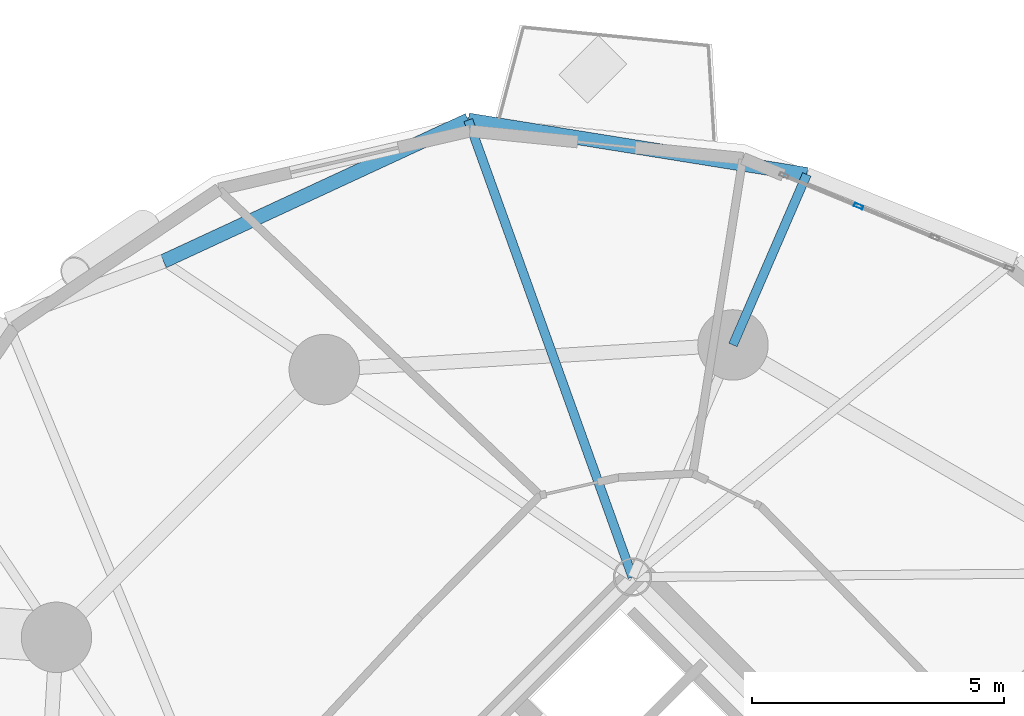
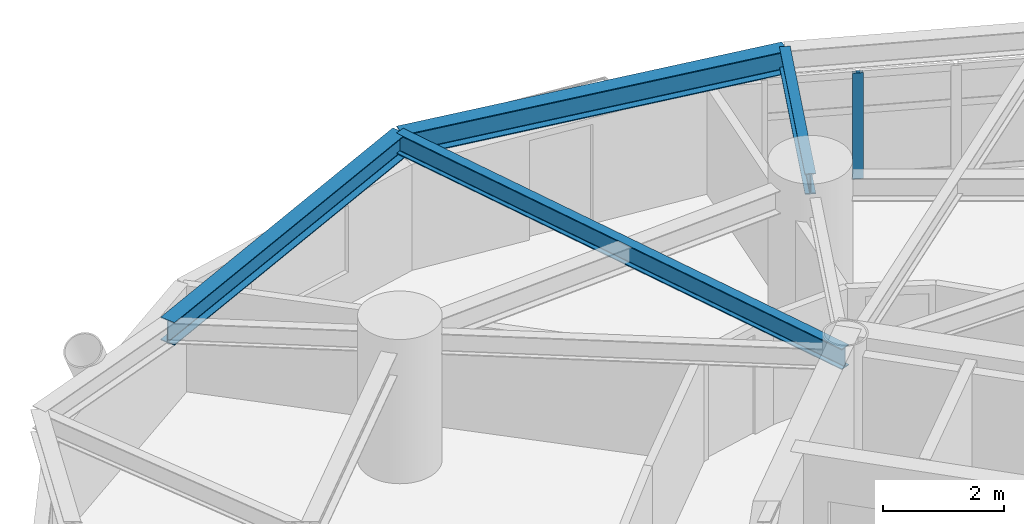
# One storey, part 6 of 18: 4 beams, 1 member, 1 element without a shape of its own.
"""IFC4 building model written with IfcOpenShell, lengths in metres."""

import ifcopenshell
import ifcopenshell.guid

model = None  # the IFC model being written
_history = None  # IfcOwnerHistory: only IFC2X3 demands one
_inside = {}  # id of a spatial element -> (the spatial element, [elements in it])
_under = {}  # id of a project, library or spatial element -> (it, [spatial elements below it])
_declared = {}  # id of a project -> (the project, [libraries it declares])
_typed = {}  # id of a type object -> (the type object, [elements of that type])
_made_of = {}  # id of a material, layer set ... -> (it, [elements and type objects made of it])


def new_model(schema):
    """Start an empty IFC model of exactly this schema.

    Asked for "IFC4X3", IfcOpenShell would pick the latest addendum, in which some entities
    have other attributes; the version numbers below select the first issue.
    IFC2X3 requires an IfcOwnerHistory on every rooted entity: one is made here for all.
    """
    global model, _history
    if schema == "IFC4X3":
        model = ifcopenshell.file(schema_version=(4, 3, 0, 0))
    else:
        model = ifcopenshell.file(schema=schema)
    _inside.clear()
    _under.clear()
    _declared.clear()
    _typed.clear()
    _made_of.clear()
    _history = None
    if model.schema == "IFC2X3":
        org = make("IfcOrganization", Name="unknown")
        user = make(
            "IfcPersonAndOrganization",
            ThePerson=make("IfcPerson", FamilyName="unknown"),
            TheOrganization=org,
        )
        app = make(
            "IfcApplication",
            ApplicationDeveloper=org,
            Version="unknown",
            ApplicationFullName="unknown",
            ApplicationIdentifier="unknown",
        )
        _history = make(
            "IfcOwnerHistory",
            OwningUser=user,
            OwningApplication=app,
            ChangeAction="ADDED",
            CreationDate=0,
        )
    return model


def make(cls, **values):
    """One entity of the class cls with the attributes given. An attribute that is None is left unset."""
    return model.create_entity(
        cls, **{name: value for name, value in values.items() if value is not None}
    )


def rooted(cls, **values):
    """An entity with a GlobalId (a new one), such as an element, a storey or a relation."""
    return make(cls, GlobalId=ifcopenshell.guid.new(), OwnerHistory=_history, **values)


def si_unit(unit_type, name, prefix=None):
    """IfcSIUnit, for example si_unit("LENGTHUNIT", "METRE", prefix="MILLI")."""
    return make("IfcSIUnit", UnitType=unit_type, Prefix=prefix, Name=name)


def assignment(units):
    """IfcUnitAssignment: the units of a project."""
    return None if units is None else make("IfcUnitAssignment", Units=units)


def point(xyz):
    """IfcCartesianPoint."""
    return None if xyz is None else make("IfcCartesianPoint", Coordinates=xyz)


def direction(xyz):
    """IfcDirection."""
    return None if xyz is None else make("IfcDirection", DirectionRatios=xyz)


def frame(location, z_axis=None, x_axis=None):
    """IfcAxis2Placement3D, a coordinate frame: its origin and axes. An axis left out is left unset."""
    return make(
        "IfcAxis2Placement3D",
        Location=point(location),
        Axis=direction(z_axis),
        RefDirection=direction(x_axis),
    )


def frame_2d(location, x_axis=None):
    """IfcAxis2Placement2D, a coordinate frame in the plane: its origin and x axis."""
    return make(
        "IfcAxis2Placement2D", Location=point(location), RefDirection=direction(x_axis)
    )


def origin():
    """The frame at (0, 0, 0) with its axes left unset."""
    return frame((0.0, 0.0, 0.0))


def origin_2d():
    """The frame at (0, 0) in the plane with its x axis left unset."""
    return frame_2d((0.0, 0.0))


def place(relative_to, where):
    """IfcLocalPlacement: puts the frame where relative to a parent placement (None: the world)."""
    return make(
        "IfcLocalPlacement", PlacementRelTo=relative_to, RelativePlacement=where
    )


def context(
    kind, dimensions, precision=None, world=None, true_north=None, identifier=None
):
    """IfcGeometricRepresentationContext, for example the 3D "Model" context."""
    return make(
        "IfcGeometricRepresentationContext",
        ContextIdentifier=identifier,
        ContextType=kind,
        CoordinateSpaceDimension=dimensions,
        Precision=precision,
        WorldCoordinateSystem=world,
        TrueNorth=true_north,
    )


def subcontext(parent, identifier, kind, view, scale=None):
    """IfcGeometricRepresentationSubContext, for example "Body" below "Model"."""
    return make(
        "IfcGeometricRepresentationSubContext",
        ContextIdentifier=identifier,
        ContextType=kind,
        ParentContext=parent,
        TargetScale=scale,
        TargetView=view,
    )


def project(units=None, contexts=None):
    """IfcProject with its units and contexts."""
    return rooted(
        "IfcProject",
        Name="project",
        RepresentationContexts=contexts,
        UnitsInContext=assignment(units),
    )


def spatial(cls, under=None, at=None, **own):
    """A site, building, storey or space (cls), placed at a placement, below another one or the project."""
    s = rooted(cls, ObjectPlacement=at, **own)
    if under is not None:
        _under.setdefault(under.id(), (under, []))[1].append(s)
    return s


def profile(cls, at=None, kind="AREA", **sizes):
    """A parametric profile (cls). Its sizes go by their IFC names, for example OverallWidth=200.0."""
    return make(cls, ProfileType=kind, Position=at, **sizes)


def hollow_rectangle(**sizes):
    """IfcRectangleHollowProfileDef."""
    return profile("IfcRectangleHollowProfileDef", **sizes)


def i_section(**sizes):
    """IfcIShapeProfileDef."""
    return profile("IfcIShapeProfileDef", **sizes)


def extrude(swept, where, along, depth):
    """IfcExtrudedAreaSolid: the profile swept, set in the frame where, extruded along a direction by depth."""
    return make(
        "IfcExtrudedAreaSolid",
        SweptArea=swept,
        Position=where,
        ExtrudedDirection=direction(along),
        Depth=depth,
    )


def shape(context_of_items, identifier, shape_type, items):
    """IfcShapeRepresentation: the items that make up one representation, for example the "Body"."""
    return make(
        "IfcShapeRepresentation",
        ContextOfItems=context_of_items,
        RepresentationIdentifier=identifier,
        RepresentationType=shape_type,
        Items=items,
    )


def material(Name=None, Category=None):
    """IfcMaterial."""
    return make("IfcMaterial", Name=Name, Category=Category)


def layer(
    of_material, thickness, ventilated=None, Name=None, Category=None, Priority=None
):
    """IfcMaterialLayer: one layer of a wall or slab, of a material (None: an air gap)."""
    return make(
        "IfcMaterialLayer",
        Material=of_material,
        LayerThickness=thickness,
        IsVentilated=ventilated,
        Name=Name,
        Category=Category,
        Priority=Priority,
    )


def layer_set(layers, Name=None):
    """IfcMaterialLayerSet."""
    return make("IfcMaterialLayerSet", MaterialLayers=layers, LayerSetName=Name)


def material_profile(
    of_material, cross_section, Name=None, Category=None, Priority=None
):
    """IfcMaterialProfile: a cross section and its material."""
    return make(
        "IfcMaterialProfile",
        Name=Name,
        Material=of_material,
        Profile=cross_section,
        Priority=Priority,
        Category=Category,
    )


def profile_set(profiles, Name=None, composite=None):
    """IfcMaterialProfileSet."""
    return make(
        "IfcMaterialProfileSet",
        Name=Name,
        MaterialProfiles=profiles,
        CompositeProfile=composite,
    )


def made_of(thing, what):
    """Note that an element or type object is made of a material, layer set ...; save() writes the relation."""
    if what is not None:
        _made_of.setdefault(what.id(), (what, []))[1].append(thing)
    return thing


def type_object(cls, material=None, **own):
    """A type object (cls), such as IfcWallType, which elements share."""
    return made_of(rooted(cls, **own), material)


def element(
    cls,
    number,
    at=None,
    inside=None,
    cuts=None,
    type_object=None,
    material=None,
    context=None,
    identifier="Body",
    shape_type=None,
    held_by="IfcProductDefinitionShape",
    body=None,
    shapes=None,
    **own,
):
    """One element of the class cls, such as IfcWall. Its Tag is "e" and its number.

    at: its placement. inside: the storey or other place that contains it. cuts: it is an
    opening in that element (IfcRelVoidsElement). A single representation is given by context,
    identifier, shape_type and body (its items); several are given by shapes. held_by: the class
    of the entity that holds the representations. save() writes the other relations.
    """
    e = rooted(cls, Tag="e%d" % number, ObjectPlacement=at, **own)
    if body is not None:
        shapes = [shape(context, identifier, shape_type, body)]
    if shapes is not None:
        e.Representation = make(held_by, Representations=shapes)
    if inside is not None:
        _inside.setdefault(inside.id(), (inside, []))[1].append(e)
    if cuts is not None:
        rooted(
            "IfcRelVoidsElement", RelatingBuildingElement=cuts, RelatedOpeningElement=e
        )
    if type_object is not None:
        _typed.setdefault(type_object.id(), (type_object, []))[1].append(e)
    return made_of(e, material)


def aggregate(whole, parts):
    """IfcRelAggregates: a whole, such as a stair, and the parts it consists of."""
    return rooted("IfcRelAggregates", RelatingObject=whole, RelatedObjects=parts)


def save(model, path):
    """Write the relations noted so far, then the file.

    IfcRelAggregates (storeys below a building ...), IfcRelContainedInSpatialStructure (elements
    in a storey), IfcRelDefinesByType, IfcRelAssociatesMaterial and IfcRelDeclares: one each for
    every whole, place, type object, material and project.
    """
    for whole, parts in _under.values():
        aggregate(whole, parts)
    for where, things in _inside.values():
        rooted(
            "IfcRelContainedInSpatialStructure",
            RelatedElements=things,
            RelatingStructure=where,
        )
    for kind, things in _typed.values():
        rooted("IfcRelDefinesByType", RelatedObjects=things, RelatingType=kind)
    for what, things in _made_of.values():
        rooted("IfcRelAssociatesMaterial", RelatedObjects=things, RelatingMaterial=what)
    for by, libraries in _declared.values():
        rooted("IfcRelDeclares", RelatingContext=by, RelatedDefinitions=libraries)
    model.write(path)


model = new_model("IFC4")

# Units and contexts
model_context = context("Model", 3, precision=1e-05, world=origin(), true_north=direction((0.0, 1.0)))
body_context = subcontext(model_context, "Body", "Model", "MODEL_VIEW")
ifc_project = project(units=[si_unit("LENGTHUNIT", "METRE"), si_unit("AREAUNIT", "SQUARE_METRE"), si_unit("VOLUMEUNIT", "CUBIC_METRE"), si_unit("PLANEANGLEUNIT", "RADIAN"), si_unit("MASSUNIT", "GRAM", prefix="KILO")], contexts=[model_context])

# Site, building, storey
site_placement = place(None, origin())
site = spatial("IfcSite", under=ifc_project, at=site_placement, CompositionType="ELEMENT")
building_placement = place(site_placement, origin())
building = spatial("IfcBuilding", under=site, at=building_placement, Name="Cununo Teusaquillo Station Towers", CompositionType="ELEMENT")
storey_placement = place(building_placement, frame((0.0, 0.0, 122.530029296875)))
storey = spatial("IfcBuildingStorey", under=building, at=storey_placement, Name="L39", CompositionType="ELEMENT", Elevation=122.530029296875)

# Beams
ifc_material_1 = material(Name="Steel ASTM A572 Grade 50", Category="steel")
ifc_material_profile_1 = material_profile(ifc_material_1, i_section(OverallWidth=0.180908203125, OverallDepth=0.4169921875, WebThickness=0.010986328125, FlangeThickness=0.018310546875, FilletRadius=0.012939453125, at=origin_2d()), Name="W16X57")
ifc_profile_set_1 = profile_set([ifc_material_profile_1], Name="Steel ASTM A572 Grade 50")
beam_type_1 = type_object("IfcBeamType", Name="BM-JOIST-1", PredefinedType="JOIST", material=ifc_profile_set_1)
beam_1_placement = place(storey_placement, frame((56.29443359375, 33.024169921875, 2.42138671875), z_axis=(-0.338176312038, 0.941082771055, 0.0), x_axis=(-0.941082771055, -0.338176312038, 0.0)))
element("IfcBeam", 1, at=beam_1_placement, inside=storey, type_object=beam_type_1, Name="L39 Tower B Radial Spandrel Joist V03", PredefinedType="JOIST", context=body_context, shape_type="SweptSolid", body=[
    extrude(i_section(OverallWidth=0.180908203125, OverallDepth=0.4169921875, WebThickness=0.010986328125, FlangeThickness=0.018310546875, FilletRadius=0.012939453125, at=origin_2d()), origin(), (0.0, 0.0, 1.0), 9.646484375),
])
ifc_material_2 = material(Name="Steel ASTM A572 Grade 50", Category="steel")
ifc_material_profile_2 = material_profile(ifc_material_2, i_section(OverallWidth=0.180908203125, OverallDepth=0.4169921875, WebThickness=0.010986328125, FlangeThickness=0.018310546875, FilletRadius=0.012939453125, at=origin_2d()), Name="W16X57")
ifc_profile_set_2 = profile_set([ifc_material_profile_2], Name="Steel ASTM A572 Grade 50")
beam_type_2 = type_object("IfcBeamType", Name="BM-RAD-G2", PredefinedType="BEAM", material=ifc_profile_set_2)
beam_2_placement = place(storey_placement, frame((58.291015625, 37.63525390625, 2.42138671875), z_axis=(0.397421761279, 0.917636062751, 0.0), x_axis=(-0.917636062751, 0.397421761279, 0.0)))
element("IfcBeam", 2, at=beam_2_placement, inside=storey, type_object=beam_type_2, Name="L39 Tower B Perimeter Overhang Girder 02B", PredefinedType="BEAM", context=body_context, shape_type="SweptSolid", body=[
    extrude(i_section(OverallWidth=0.180908203125, OverallDepth=0.4169921875, WebThickness=0.010986328125, FlangeThickness=0.018310546875, FilletRadius=0.012939453125, at=origin_2d()), origin(), (0.0, 0.0, 1.0), 3.690185546875),
])
ifc_material_3 = material(Name="Steel ASTM A572 Grade 50", Category="steel")
ifc_material_profile_3 = material_profile(ifc_material_3, i_section(OverallWidth=0.280029296875, OverallDepth=0.462890625, WebThickness=0.0107421875, FlangeThickness=0.017333984375, FilletRadius=0.013916015625, at=origin_2d()), Name="W18X76")
ifc_profile_set_3 = profile_set([ifc_material_profile_3], Name="Steel ASTM A572 Grade 50")
beam_type_3 = type_object("IfcBeamType", Name="BM-RING-Z2", PredefinedType="SPANDREL", material=ifc_profile_set_3)
beam_3_placement = place(storey_placement, frame((59.757568359375, 41.021484375, 2.3984375), z_axis=(-0.987331474246, 0.158671232312, 0.0), x_axis=(-0.158671232312, -0.987331474246, 0.0)))
element("IfcBeam", 3, at=beam_3_placement, inside=storey, type_object=beam_type_3, Name="L39 Tower B Spandrel Ring Beam 03", PredefinedType="SPANDREL", context=body_context, shape_type="SweptSolid", body=[
    extrude(i_section(OverallWidth=0.280029296875, OverallDepth=0.462890625, WebThickness=0.0107421875, FlangeThickness=0.017333984375, FilletRadius=0.013916015625, at=origin_2d()), origin(), (0.0, 0.0, 1.0), 6.8115234375),
])
beam_4_placement = place(storey_placement, frame((53.0322265625, 42.102294921875, 2.3984375), z_axis=(-0.907275870354, -0.420535961689, 0.0), x_axis=(0.420535961689, -0.907275870354, 0.0)))
element("IfcBeam", 4, at=beam_4_placement, inside=storey, type_object=beam_type_3, Name="L39 Tower B Spandrel Ring Beam 04", PredefinedType="SPANDREL", context=body_context, shape_type="SweptSolid", body=[
    extrude(i_section(OverallWidth=0.280029296875, OverallDepth=0.462890625, WebThickness=0.0107421875, FlangeThickness=0.017333984375, FilletRadius=0.013916015625, at=origin_2d()), origin(), (0.0, 0.0, 1.0), 6.671142578125),
])

# Curtain wall, member
ifc_material_4 = material(Name="Ceramic-fritted dark low-E double glazing", Category="glass")
ifc_layer = layer(ifc_material_4, 0.179931640625)
ifc_layer_set = layer_set([ifc_layer], Name="Ceramic-fritted dark low-E double glazing")
curtain_wall_type = type_object("IfcCurtainWallType", Name="CW-SYS-04", PredefinedType="USERDEFINED", material=ifc_layer_set)
curtain_wall_placement = place(storey_placement, origin())
curtain_wall = element("IfcCurtainWall", 5, at=curtain_wall_placement, inside=storey, type_object=curtain_wall_type, Name="L39 Tower B Facade Curtain Wall C01", ObjectType="FRITTED GLAZING", PredefinedType="USERDEFINED")
ifc_material_5 = material(Name="Anodised dark bronze aluminium EN AW-6063-T6", Category="aluminium")
ifc_material_profile_4 = material_profile(ifc_material_5, hollow_rectangle(XDim=0.070068359375, YDim=0.179931640625, WallThickness=0.00390625, at=origin_2d()), Name="CW-MULL-70x180")
ifc_profile_set_4 = profile_set([ifc_material_profile_4], Name="Anodised dark bronze aluminium EN AW-6063-T6")
member_type = type_object("IfcMemberType", Name="CWM-180", PredefinedType="MULLION", material=ifc_profile_set_4)
member_placement = place(storey_placement, frame((60.785888671875, 40.39208984375, 0.0), z_axis=(0.0, 0.0, 1.0), x_axis=(0.381030560176, 0.924562443652, 0.0)))
member = element("IfcMember", 6, at=member_placement, type_object=member_type, Name="CW-04 mullion 2", PredefinedType="MULLION", context=body_context, shape_type="SweptSolid", body=[
    extrude(hollow_rectangle(XDim=0.070068359375, YDim=0.179931640625, WallThickness=0.00390625, at=origin_2d()), origin(), (0.0, 0.0, 1.0), 2.138916015625),
])
aggregate(curtain_wall, [member])

save(model, "model.ifc")
